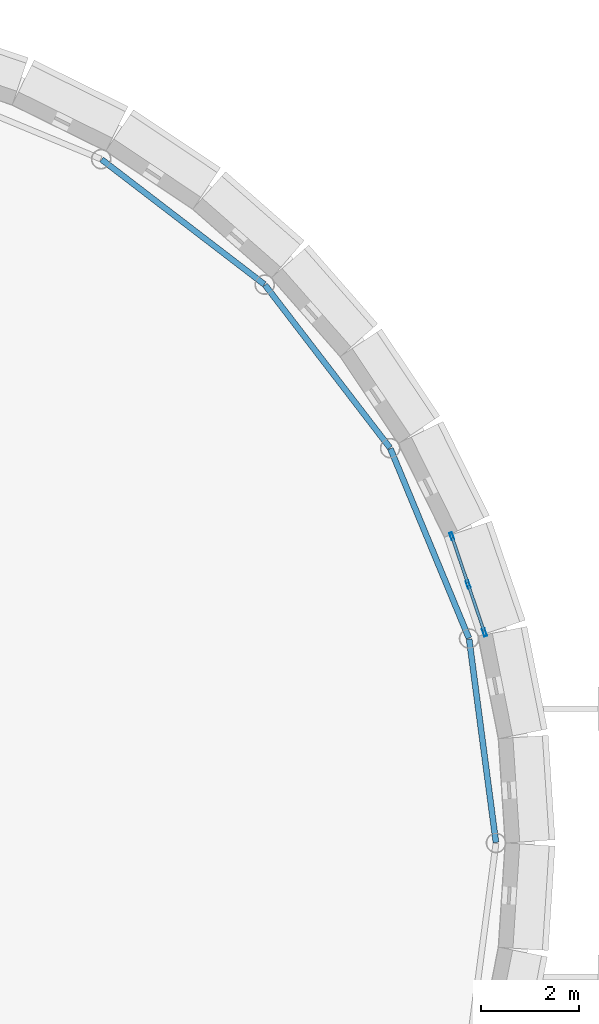
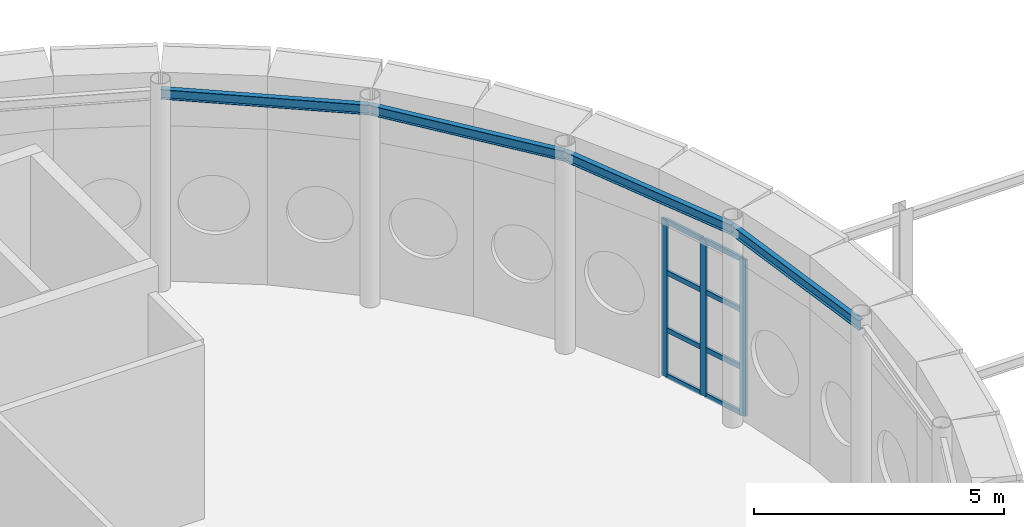
# One storey, part 45 of 109: 11 members, 4 beams, 1 element without a shape of its own.
"""IFC4 building model written with IfcOpenShell, lengths in metres."""

from ifc_helpers import new_model, si_unit, direction, frame, origin, origin_2d, place, context, subcontext, project, spatial, hollow_rectangle, i_section, extrude, material, layer, layer_set, material_profile, profile_set, type_object, element, aggregate, save


model = new_model("IFC4")

# Units and contexts
model_context = context("Model", 3, precision=1e-05, world=origin(), true_north=direction((0.0, 1.0)))
body_context = subcontext(model_context, "Body", "Model", "MODEL_VIEW")
ifc_project = project(units=[si_unit("LENGTHUNIT", "METRE"), si_unit("AREAUNIT", "SQUARE_METRE"), si_unit("VOLUMEUNIT", "CUBIC_METRE"), si_unit("PLANEANGLEUNIT", "RADIAN"), si_unit("MASSUNIT", "GRAM", prefix="KILO")], contexts=[model_context])

# Site, building, storey
site_placement = place(None, origin())
site = spatial("IfcSite", under=ifc_project, at=site_placement, CompositionType="ELEMENT")
building_placement = place(site_placement, origin())
building = spatial("IfcBuilding", under=site, at=building_placement, Name="Montecoro Central Library", CompositionType="ELEMENT")
storey_placement = place(building_placement, origin())
storey = spatial("IfcBuildingStorey", under=building, at=storey_placement, Name="L00", CompositionType="ELEMENT", Elevation=0.0)

# Beams
ifc_material_1 = material(Name="Steel S355", Category="steel")
ifc_material_profile_1 = material_profile(ifc_material_1, i_section(OverallWidth=0.1201171875, OverallDepth=0.239990234375, WebThickness=0.006103515625, FlangeThickness=0.009765625, at=origin_2d()), Name="IPE 240")
ifc_profile_set_1 = profile_set([ifc_material_profile_1], Name="Steel S355")
beam_type = type_object("IfcBeamType", Name="BM-SP-IPE240", PredefinedType="SPANDREL", material=ifc_profile_set_1)
for number, where, z_axis, x_axis, name in (
    (1, (107.779052734375, 35.409912109375, 4.72509765625), (-0.130607740177, 0.99143412197, 0.0), (-0.99143412197, -0.130607740177, 0.0), "V1-L00-RING-01"),
    (2, (107.22509765625, 39.596923828125, 4.72509765625), (-0.382746700319, 0.923853323529, 0.0), (-0.923853323529, -0.382746700319, 0.0), "V1-L00-RING-02"),
):
    element("IfcBeam", number, at=place(storey_placement, frame(where, z_axis=z_axis, x_axis=x_axis)), inside=storey, type_object=beam_type, Name=name, PredefinedType="SPANDREL", context=body_context, shape_type="SweptSolid", body=[
        extrude(i_section(OverallWidth=0.1201171875, OverallDepth=0.239990234375, WebThickness=0.006103515625, FlangeThickness=0.009765625, at=origin_2d()), origin(), (0.0, 0.0, 1.0), 4.2041015625),
    ])
for number, where, z_axis, x_axis, name in (
    (3, (105.60595703125, 43.498046875, 4.72509765625), (-0.608736327249, 0.793372600918, 0.0), (-0.793372600918, -0.608736327249, 0.0), "V1-L00-RING-03"),
    (4, (103.032958984375, 46.846923828125, 4.72509765625), (-0.793344551064, 0.608772883181, 0.0), (-0.608772883181, -0.793344551064, 0.0), "V1-L00-RING-04"),
):
    element("IfcBeam", number, at=place(storey_placement, frame(where, z_axis=z_axis, x_axis=x_axis)), inside=storey, type_object=beam_type, Name=name, PredefinedType="SPANDREL", context=body_context, shape_type="SweptSolid", body=[
        extrude(i_section(OverallWidth=0.1201171875, OverallDepth=0.239990234375, WebThickness=0.006103515625, FlangeThickness=0.009765625, at=origin_2d()), origin(), (0.0, 0.0, 1.0), 4.20361328125),
    ])

# Curtain wall, members
ifc_material_2 = material(Name="Bronze-anodised aluminium and low-E glazing", Category="aluminium")
ifc_layer = layer(ifc_material_2, 0.159912109375)
ifc_layer_set = layer_set([ifc_layer], Name="Bronze-anodised aluminium and low-E glazing")
curtain_wall_type = type_object("IfcCurtainWallType", Name="CWT-001", PredefinedType="NOTDEFINED", material=ifc_layer_set)
curtain_wall_placement = place(storey_placement, origin())
curtain_wall = element("IfcCurtainWall", 5, at=curtain_wall_placement, inside=storey, type_object=curtain_wall_type, Name="V1-L00-CW-03", PredefinedType="NOTDEFINED")
ifc_material_3 = material(Name="Bronze-anodised aluminium", Category="aluminium")
ifc_material_profile_2 = material_profile(ifc_material_3, hollow_rectangle(XDim=0.06005859375, YDim=0.159912109375, WallThickness=0.00390625, at=origin_2d()), Name="CWM 160x60x4.0")
ifc_profile_set_2 = profile_set([ifc_material_profile_2], Name="Bronze-anodised aluminium")
member_type_1 = type_object("IfcMemberType", Name="CWM-BRZ-60", PredefinedType="MULLION", material=ifc_profile_set_2)
member_1_placement = place(storey_placement, frame((107.54443359375, 39.71240234375, 0.0), z_axis=(0.0, 0.0, 1.0), x_axis=(-0.946943212064, -0.32140092272, 0.0)))
member_1 = element("IfcMember", 6, at=member_1_placement, type_object=member_type_1, Name="CW-001 mullion 1", PredefinedType="MULLION", context=body_context, shape_type="SweptSolid", body=[
    extrude(hollow_rectangle(XDim=0.06005859375, YDim=0.159912109375, WallThickness=0.00390625, at=origin_2d()), origin(), (0.0, 0.0, 1.0), 3.820068359375),
])
member_2_placement = place(storey_placement, frame((107.20947265625, 40.698974609375, 0.0), z_axis=(0.0, 0.0, 1.0), x_axis=(-0.946943212064, -0.32140092272, 0.0)))
member_2 = element("IfcMember", 7, at=member_2_placement, type_object=member_type_1, Name="CW-001 mullion 2", PredefinedType="MULLION", context=body_context, shape_type="SweptSolid", body=[
    extrude(hollow_rectangle(XDim=0.06005859375, YDim=0.159912109375, WallThickness=0.00390625, at=origin_2d()), origin(), (0.0, 0.0, 1.0), 3.820068359375),
])
member_3_placement = place(storey_placement, frame((106.874755859375, 41.685546875, 0.0), z_axis=(0.0, 0.0, 1.0), x_axis=(-0.946943212064, -0.32140092272, 0.0)))
member_3 = element("IfcMember", 8, at=member_3_placement, type_object=member_type_1, Name="CW-001 mullion 3", PredefinedType="MULLION", context=body_context, shape_type="SweptSolid", body=[
    extrude(hollow_rectangle(XDim=0.06005859375, YDim=0.159912109375, WallThickness=0.00390625, at=origin_2d()), origin(), (0.0, 0.0, 1.0), 3.820068359375),
])
ifc_material_profile_3 = material_profile(ifc_material_3, hollow_rectangle(XDim=0.06005859375, YDim=0.1201171875, WallThickness=0.00390625, at=origin_2d()), Name="CWT 120x60x4.0")
ifc_profile_set_3 = profile_set([ifc_material_profile_3], Name="Bronze-anodised aluminium")
member_type_2 = type_object("IfcMemberType", Name="CWT-BRZ-60", PredefinedType="USERDEFINED", material=ifc_profile_set_3)
member_4_placement = place(storey_placement, frame((107.53466796875, 39.74072265625, 0.030029296875), z_axis=(-0.321220697544, 0.947004362962, 0.0), x_axis=(-0.947004362962, -0.321220697544, 0.0)))
member_4 = element("IfcMember", 9, at=member_4_placement, type_object=member_type_2, Name="CW-001 transom 1.1", ObjectType="TRANSOM", PredefinedType="USERDEFINED", context=body_context, shape_type="SweptSolid", body=[
    extrude(hollow_rectangle(XDim=0.06005859375, YDim=0.1201171875, WallThickness=0.00390625, at=origin_2d()), origin(), (0.0, 0.0, 1.0), 0.98193359375),
])
member_5_placement = place(storey_placement, frame((107.53466796875, 39.74072265625, 1.14990234375), z_axis=(-0.321220697544, 0.947004362962, 0.0), x_axis=(-0.947004362962, -0.321220697544, 0.0)))
member_5 = element("IfcMember", 10, at=member_5_placement, type_object=member_type_2, Name="CW-001 transom 1.2", ObjectType="TRANSOM", PredefinedType="USERDEFINED", context=body_context, shape_type="SweptSolid", body=[
    extrude(hollow_rectangle(XDim=0.06005859375, YDim=0.1201171875, WallThickness=0.00390625, at=origin_2d()), origin(), (0.0, 0.0, 1.0), 0.98193359375),
])
member_6_placement = place(storey_placement, frame((107.53466796875, 39.74072265625, 2.550048828125), z_axis=(-0.321220697544, 0.947004362962, 0.0), x_axis=(-0.947004362962, -0.321220697544, 0.0)))
member_6 = element("IfcMember", 11, at=member_6_placement, type_object=member_type_2, Name="CW-001 transom 1.3", ObjectType="TRANSOM", PredefinedType="USERDEFINED", context=body_context, shape_type="SweptSolid", body=[
    extrude(hollow_rectangle(XDim=0.06005859375, YDim=0.1201171875, WallThickness=0.00390625, at=origin_2d()), origin(), (0.0, 0.0, 1.0), 0.98193359375),
])
member_7_placement = place(storey_placement, frame((107.53466796875, 39.74072265625, 3.7900390625), z_axis=(-0.321220697544, 0.947004362962, 0.0), x_axis=(-0.947004362962, -0.321220697544, 0.0)))
member_7 = element("IfcMember", 12, at=member_7_placement, type_object=member_type_2, Name="CW-001 transom 1.4", ObjectType="TRANSOM", PredefinedType="USERDEFINED", context=body_context, shape_type="SweptSolid", body=[
    extrude(hollow_rectangle(XDim=0.06005859375, YDim=0.1201171875, WallThickness=0.00390625, at=origin_2d()), origin(), (0.0, 0.0, 1.0), 0.98193359375),
])
member_8_placement = place(storey_placement, frame((107.199951171875, 40.727294921875, 0.030029296875), z_axis=(-0.321443640078, 0.94692871234, 0.0), x_axis=(-0.94692871234, -0.321443640078, 0.0)))
member_8 = element("IfcMember", 13, at=member_8_placement, type_object=member_type_2, Name="CW-001 transom 2.1", ObjectType="TRANSOM", PredefinedType="USERDEFINED", context=body_context, shape_type="SweptSolid", body=[
    extrude(hollow_rectangle(XDim=0.06005859375, YDim=0.1201171875, WallThickness=0.00390625, at=origin_2d()), origin(), (0.0, 0.0, 1.0), 0.98193359375),
])
member_9_placement = place(storey_placement, frame((107.199951171875, 40.727294921875, 1.14990234375), z_axis=(-0.321443640078, 0.94692871234, 0.0), x_axis=(-0.94692871234, -0.321443640078, 0.0)))
member_9 = element("IfcMember", 14, at=member_9_placement, type_object=member_type_2, Name="CW-001 transom 2.2", ObjectType="TRANSOM", PredefinedType="USERDEFINED", context=body_context, shape_type="SweptSolid", body=[
    extrude(hollow_rectangle(XDim=0.06005859375, YDim=0.1201171875, WallThickness=0.00390625, at=origin_2d()), origin(), (0.0, 0.0, 1.0), 0.98193359375),
])
member_10_placement = place(storey_placement, frame((107.199951171875, 40.727294921875, 2.550048828125), z_axis=(-0.321443640078, 0.94692871234, 0.0), x_axis=(-0.94692871234, -0.321443640078, 0.0)))
member_10 = element("IfcMember", 15, at=member_10_placement, type_object=member_type_2, Name="CW-001 transom 2.3", ObjectType="TRANSOM", PredefinedType="USERDEFINED", context=body_context, shape_type="SweptSolid", body=[
    extrude(hollow_rectangle(XDim=0.06005859375, YDim=0.1201171875, WallThickness=0.00390625, at=origin_2d()), origin(), (0.0, 0.0, 1.0), 0.98193359375),
])
member_11_placement = place(storey_placement, frame((107.199951171875, 40.727294921875, 3.7900390625), z_axis=(-0.321443640078, 0.94692871234, 0.0), x_axis=(-0.94692871234, -0.321443640078, 0.0)))
member_11 = element("IfcMember", 16, at=member_11_placement, type_object=member_type_2, Name="CW-001 transom 2.4", ObjectType="TRANSOM", PredefinedType="USERDEFINED", context=body_context, shape_type="SweptSolid", body=[
    extrude(hollow_rectangle(XDim=0.06005859375, YDim=0.1201171875, WallThickness=0.00390625, at=origin_2d()), origin(), (0.0, 0.0, 1.0), 0.98193359375),
])
aggregate(curtain_wall, [member_1, member_2, member_3, member_4, member_5, member_6, member_7, member_8, member_9, member_10, member_11])

save(model, "model.ifc")
